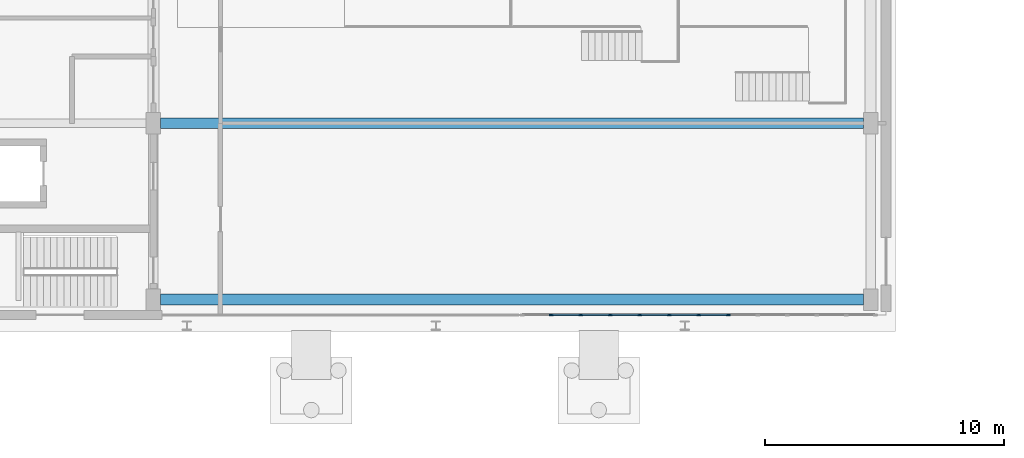
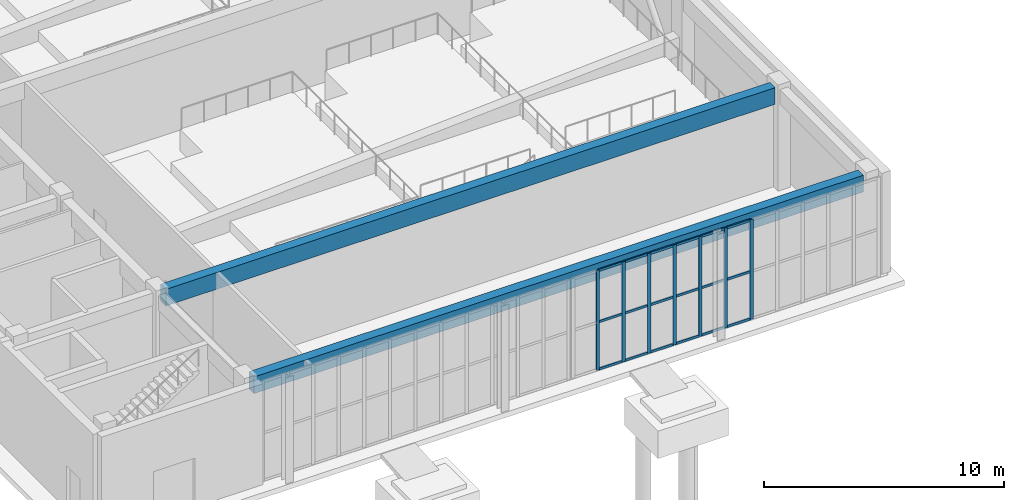
# One storey, part 6 of 46: 25 members, 2 beams, 1 element without a shape of its own.
"""IFC4 building model written with IfcOpenShell, lengths in metres."""

from ifc_helpers import new_model, si_unit, direction, frame, origin, origin_2d, place, context, subcontext, project, spatial, rectangle, extrude, material, layer, layer_set, material_profile, profile_set, type_object, element, aggregate, save


model = new_model("IFC4")

# Units and contexts
model_context = context("Model", 3, precision=1e-05, world=origin(), true_north=direction((0.0, 1.0)))
body_context = subcontext(model_context, "Body", "Model", "MODEL_VIEW")
ifc_project = project(units=[si_unit("LENGTHUNIT", "METRE"), si_unit("AREAUNIT", "SQUARE_METRE"), si_unit("VOLUMEUNIT", "CUBIC_METRE"), si_unit("PLANEANGLEUNIT", "RADIAN"), si_unit("MASSUNIT", "GRAM", prefix="KILO")], contexts=[model_context])

# Site, building, storey
site_placement = place(None, origin())
site = spatial("IfcSite", under=ifc_project, at=site_placement, CompositionType="ELEMENT")
building_placement = place(site_placement, origin())
building = spatial("IfcBuilding", under=site, at=building_placement, Name="Cinchona Park Media Centre", CompositionType="ELEMENT")
storey_placement = place(building_placement, origin())
storey = spatial("IfcBuildingStorey", under=building, at=storey_placement, Name="L00", CompositionType="ELEMENT", Elevation=0.0)

# Beams
ifc_material_1 = material(Name="Concrete C35/45", Category="concrete")
ifc_material_profile_1 = material_profile(ifc_material_1, rectangle(XDim=0.449951171875, YDim=0.85009765625, at=origin_2d()), Name="RB 450X850")
ifc_profile_set_1 = profile_set([ifc_material_profile_1], Name="Concrete C35/45")
beam_type = type_object("IfcBeamType", Name="BEAM-B02-RB450X850", PredefinedType="BEAM", material=ifc_profile_set_1)
for number, where, z_axis, x_axis, name in (
    (1, (15.699951171875, 8.239990234375, 4.715087890625), (1.0, 0.0, 0.0), (0.0, 1.0, 0.0), "Beam B02 L00"),
    (2, (15.699951171875, 15.60009765625, 4.715087890625), (1.0, 0.0, 0.0), (0.0, 1.0, 0.0), "Beam B02 L00"),
):
    element("IfcBeam", number, at=place(storey_placement, frame(where, z_axis=z_axis, x_axis=x_axis)), inside=storey, type_object=beam_type, Name=name, PredefinedType="BEAM", context=body_context, shape_type="SweptSolid", body=[
        extrude(rectangle(XDim=0.449951171875, YDim=0.85009765625, at=origin_2d()), origin(), (0.0, 0.0, 1.0), 29.360107421875),
    ])

# Curtain wall, members
ifc_material_2 = material(Name="Aluminium Curtain Wall Framing", Category="aluminium")
ifc_layer = layer(ifc_material_2, 0.179931640625)
ifc_layer_set = layer_set([ifc_layer], Name="Aluminium Curtain Wall Framing")
curtain_wall_type = type_object("IfcCurtainWallType", Name="CW-CW01", PredefinedType="USERDEFINED", material=ifc_layer_set)
curtain_wall_placement = place(storey_placement, origin())
curtain_wall = element("IfcCurtainWall", 3, at=curtain_wall_placement, inside=storey, type_object=curtain_wall_type, Name="Curtain Wall CW01 L00", ObjectType="UNITISED CURTAIN WALL", PredefinedType="USERDEFINED")
ifc_material_3 = material(Name="Anodised Aluminium Alloy 6063-T6", Category="aluminium")
ifc_material_profile_2 = material_profile(ifc_material_3, rectangle(XDim=0.06494140625, YDim=0.159912109375, at=origin_2d()), Name="MUL-65X160")
ifc_profile_set_2 = profile_set([ifc_material_profile_2], Name="Anodised Aluminium Alloy 6063-T6")
member_type_1 = type_object("IfcMemberType", Name="MULLION-MUL01", PredefinedType="MULLION", material=ifc_profile_set_2)
member_1_placement = place(storey_placement, frame((39.413330078125, 7.60009765625, 0.050048828125), z_axis=(0.0, 0.0, 1.0), x_axis=(0.0, -1.0, 0.0)))
member_1 = element("IfcMember", 4, at=member_1_placement, type_object=member_type_1, Name="CW01 mullion 6", PredefinedType="MULLION", context=body_context, shape_type="SweptSolid", body=[
    extrude(rectangle(XDim=0.06494140625, YDim=0.159912109375, at=origin_2d()), origin(), (0.0, 0.0, 1.0), 5.08984375),
])
member_2_placement = place(storey_placement, frame((38.179931640625, 7.60009765625, 0.050048828125), z_axis=(0.0, 0.0, 1.0), x_axis=(0.0, -1.0, 0.0)))
member_2 = element("IfcMember", 5, at=member_2_placement, type_object=member_type_1, Name="CW01 mullion 7", PredefinedType="MULLION", context=body_context, shape_type="SweptSolid", body=[
    extrude(rectangle(XDim=0.06494140625, YDim=0.159912109375, at=origin_2d()), origin(), (0.0, 0.0, 1.0), 5.08984375),
])
member_3_placement = place(storey_placement, frame((36.94677734375, 7.60009765625, 0.050048828125), z_axis=(0.0, 0.0, 1.0), x_axis=(0.0, -1.0, 0.0)))
member_3 = element("IfcMember", 6, at=member_3_placement, type_object=member_type_1, Name="CW01 mullion 8", PredefinedType="MULLION", context=body_context, shape_type="SweptSolid", body=[
    extrude(rectangle(XDim=0.06494140625, YDim=0.159912109375, at=origin_2d()), origin(), (0.0, 0.0, 1.0), 5.08984375),
])
member_4_placement = place(storey_placement, frame((35.71337890625, 7.60009765625, 0.050048828125), z_axis=(0.0, 0.0, 1.0), x_axis=(0.0, -1.0, 0.0)))
member_4 = element("IfcMember", 7, at=member_4_placement, type_object=member_type_1, Name="CW01 mullion 9", PredefinedType="MULLION", context=body_context, shape_type="SweptSolid", body=[
    extrude(rectangle(XDim=0.06494140625, YDim=0.159912109375, at=origin_2d()), origin(), (0.0, 0.0, 1.0), 5.08984375),
])
member_5_placement = place(storey_placement, frame((34.47998046875, 7.60009765625, 0.050048828125), z_axis=(0.0, 0.0, 1.0), x_axis=(0.0, -1.0, 0.0)))
member_5 = element("IfcMember", 8, at=member_5_placement, type_object=member_type_1, Name="CW01 mullion 10", PredefinedType="MULLION", context=body_context, shape_type="SweptSolid", body=[
    extrude(rectangle(XDim=0.06494140625, YDim=0.159912109375, at=origin_2d()), origin(), (0.0, 0.0, 1.0), 5.08984375),
])
member_6_placement = place(storey_placement, frame((33.24658203125, 7.60009765625, 0.050048828125), z_axis=(0.0, 0.0, 1.0), x_axis=(0.0, -1.0, 0.0)))
member_6 = element("IfcMember", 9, at=member_6_placement, type_object=member_type_1, Name="CW01 mullion 11", PredefinedType="MULLION", context=body_context, shape_type="SweptSolid", body=[
    extrude(rectangle(XDim=0.06494140625, YDim=0.159912109375, at=origin_2d()), origin(), (0.0, 0.0, 1.0), 5.08984375),
])
member_7_placement = place(storey_placement, frame((32.013427734375, 7.60009765625, 0.050048828125), z_axis=(0.0, 0.0, 1.0), x_axis=(0.0, -1.0, 0.0)))
member_7 = element("IfcMember", 10, at=member_7_placement, type_object=member_type_1, Name="CW01 mullion 12", PredefinedType="MULLION", context=body_context, shape_type="SweptSolid", body=[
    extrude(rectangle(XDim=0.06494140625, YDim=0.159912109375, at=origin_2d()), origin(), (0.0, 0.0, 1.0), 5.08984375),
])
ifc_material_4 = material(Name="Anodised Aluminium Alloy 6063-T6", Category="aluminium")
ifc_material_profile_3 = material_profile(ifc_material_4, rectangle(XDim=0.06494140625, YDim=0.1201171875, at=origin_2d()), Name="TRN-65X120")
ifc_profile_set_3 = profile_set([ifc_material_profile_3], Name="Anodised Aluminium Alloy 6063-T6")
member_type_2 = type_object("IfcMemberType", Name="TRANSOM-TRN01", PredefinedType="USERDEFINED", material=ifc_profile_set_3)
member_8_placement = place(storey_placement, frame((39.380859375, 7.60009765625, 0.08251953125), z_axis=(-1.0, 0.0, 0.0), x_axis=(0.0, -1.0, 0.0)))
member_8 = element("IfcMember", 11, at=member_8_placement, type_object=member_type_2, Name="CW01 transom 6.1", ObjectType="TRANSOM", PredefinedType="USERDEFINED", context=body_context, shape_type="SweptSolid", body=[
    extrude(rectangle(XDim=0.06494140625, YDim=0.1201171875, at=origin_2d()), origin(), (0.0, 0.0, 1.0), 1.16845703125),
])
member_9_placement = place(storey_placement, frame((39.380859375, 7.60009765625, 2.492919921875), z_axis=(-1.0, 0.0, 0.0), x_axis=(0.0, -1.0, 0.0)))
member_9 = element("IfcMember", 12, at=member_9_placement, type_object=member_type_2, Name="CW01 transom 6.2", ObjectType="TRANSOM", PredefinedType="USERDEFINED", context=body_context, shape_type="SweptSolid", body=[
    extrude(rectangle(XDim=0.06494140625, YDim=0.1201171875, at=origin_2d()), origin(), (0.0, 0.0, 1.0), 1.16845703125),
])
member_10_placement = place(storey_placement, frame((39.380859375, 7.60009765625, 5.107421875), z_axis=(-1.0, 0.0, 0.0), x_axis=(0.0, -1.0, 0.0)))
member_10 = element("IfcMember", 13, at=member_10_placement, type_object=member_type_2, Name="CW01 transom 6.3", ObjectType="TRANSOM", PredefinedType="USERDEFINED", context=body_context, shape_type="SweptSolid", body=[
    extrude(rectangle(XDim=0.06494140625, YDim=0.1201171875, at=origin_2d()), origin(), (0.0, 0.0, 1.0), 1.16845703125),
])
member_11_placement = place(storey_placement, frame((38.1474609375, 7.60009765625, 0.08251953125), z_axis=(-1.0, 0.0, 0.0), x_axis=(0.0, -1.0, 0.0)))
member_11 = element("IfcMember", 14, at=member_11_placement, type_object=member_type_2, Name="CW01 transom 7.1", ObjectType="TRANSOM", PredefinedType="USERDEFINED", context=body_context, shape_type="SweptSolid", body=[
    extrude(rectangle(XDim=0.06494140625, YDim=0.1201171875, at=origin_2d()), origin(), (0.0, 0.0, 1.0), 1.168212890625),
])
member_12_placement = place(storey_placement, frame((38.1474609375, 7.60009765625, 2.492919921875), z_axis=(-1.0, 0.0, 0.0), x_axis=(0.0, -1.0, 0.0)))
member_12 = element("IfcMember", 15, at=member_12_placement, type_object=member_type_2, Name="CW01 transom 7.2", ObjectType="TRANSOM", PredefinedType="USERDEFINED", context=body_context, shape_type="SweptSolid", body=[
    extrude(rectangle(XDim=0.06494140625, YDim=0.1201171875, at=origin_2d()), origin(), (0.0, 0.0, 1.0), 1.168212890625),
])
member_13_placement = place(storey_placement, frame((38.1474609375, 7.60009765625, 5.107421875), z_axis=(-1.0, 0.0, 0.0), x_axis=(0.0, -1.0, 0.0)))
member_13 = element("IfcMember", 16, at=member_13_placement, type_object=member_type_2, Name="CW01 transom 7.3", ObjectType="TRANSOM", PredefinedType="USERDEFINED", context=body_context, shape_type="SweptSolid", body=[
    extrude(rectangle(XDim=0.06494140625, YDim=0.1201171875, at=origin_2d()), origin(), (0.0, 0.0, 1.0), 1.168212890625),
])
member_14_placement = place(storey_placement, frame((36.9140625, 7.60009765625, 0.08251953125), z_axis=(-1.0, 0.0, 0.0), x_axis=(0.0, -1.0, 0.0)))
member_14 = element("IfcMember", 17, at=member_14_placement, type_object=member_type_2, Name="CW01 transom 8.1", ObjectType="TRANSOM", PredefinedType="USERDEFINED", context=body_context, shape_type="SweptSolid", body=[
    extrude(rectangle(XDim=0.06494140625, YDim=0.1201171875, at=origin_2d()), origin(), (0.0, 0.0, 1.0), 1.168212890625),
])
member_15_placement = place(storey_placement, frame((36.9140625, 7.60009765625, 2.492919921875), z_axis=(-1.0, 0.0, 0.0), x_axis=(0.0, -1.0, 0.0)))
member_15 = element("IfcMember", 18, at=member_15_placement, type_object=member_type_2, Name="CW01 transom 8.2", ObjectType="TRANSOM", PredefinedType="USERDEFINED", context=body_context, shape_type="SweptSolid", body=[
    extrude(rectangle(XDim=0.06494140625, YDim=0.1201171875, at=origin_2d()), origin(), (0.0, 0.0, 1.0), 1.168212890625),
])
member_16_placement = place(storey_placement, frame((36.9140625, 7.60009765625, 5.107421875), z_axis=(-1.0, 0.0, 0.0), x_axis=(0.0, -1.0, 0.0)))
member_16 = element("IfcMember", 19, at=member_16_placement, type_object=member_type_2, Name="CW01 transom 8.3", ObjectType="TRANSOM", PredefinedType="USERDEFINED", context=body_context, shape_type="SweptSolid", body=[
    extrude(rectangle(XDim=0.06494140625, YDim=0.1201171875, at=origin_2d()), origin(), (0.0, 0.0, 1.0), 1.168212890625),
])
member_17_placement = place(storey_placement, frame((35.680908203125, 7.60009765625, 0.08251953125), z_axis=(-1.0, 0.0, 0.0), x_axis=(0.0, -1.0, 0.0)))
member_17 = element("IfcMember", 20, at=member_17_placement, type_object=member_type_2, Name="CW01 transom 9.1", ObjectType="TRANSOM", PredefinedType="USERDEFINED", context=body_context, shape_type="SweptSolid", body=[
    extrude(rectangle(XDim=0.06494140625, YDim=0.1201171875, at=origin_2d()), origin(), (0.0, 0.0, 1.0), 1.16845703125),
])
member_18_placement = place(storey_placement, frame((35.680908203125, 7.60009765625, 2.492919921875), z_axis=(-1.0, 0.0, 0.0), x_axis=(0.0, -1.0, 0.0)))
member_18 = element("IfcMember", 21, at=member_18_placement, type_object=member_type_2, Name="CW01 transom 9.2", ObjectType="TRANSOM", PredefinedType="USERDEFINED", context=body_context, shape_type="SweptSolid", body=[
    extrude(rectangle(XDim=0.06494140625, YDim=0.1201171875, at=origin_2d()), origin(), (0.0, 0.0, 1.0), 1.16845703125),
])
member_19_placement = place(storey_placement, frame((35.680908203125, 7.60009765625, 5.107421875), z_axis=(-1.0, 0.0, 0.0), x_axis=(0.0, -1.0, 0.0)))
member_19 = element("IfcMember", 22, at=member_19_placement, type_object=member_type_2, Name="CW01 transom 9.3", ObjectType="TRANSOM", PredefinedType="USERDEFINED", context=body_context, shape_type="SweptSolid", body=[
    extrude(rectangle(XDim=0.06494140625, YDim=0.1201171875, at=origin_2d()), origin(), (0.0, 0.0, 1.0), 1.16845703125),
])
member_20_placement = place(storey_placement, frame((34.447509765625, 7.60009765625, 0.08251953125), z_axis=(-1.0, 0.0, 0.0), x_axis=(0.0, -1.0, 0.0)))
member_20 = element("IfcMember", 23, at=member_20_placement, type_object=member_type_2, Name="CW01 transom 10.1", ObjectType="TRANSOM", PredefinedType="USERDEFINED", context=body_context, shape_type="SweptSolid", body=[
    extrude(rectangle(XDim=0.06494140625, YDim=0.1201171875, at=origin_2d()), origin(), (0.0, 0.0, 1.0), 1.16845703125),
])
member_21_placement = place(storey_placement, frame((34.447509765625, 7.60009765625, 2.492919921875), z_axis=(-1.0, 0.0, 0.0), x_axis=(0.0, -1.0, 0.0)))
member_21 = element("IfcMember", 24, at=member_21_placement, type_object=member_type_2, Name="CW01 transom 10.2", ObjectType="TRANSOM", PredefinedType="USERDEFINED", context=body_context, shape_type="SweptSolid", body=[
    extrude(rectangle(XDim=0.06494140625, YDim=0.1201171875, at=origin_2d()), origin(), (0.0, 0.0, 1.0), 1.16845703125),
])
member_22_placement = place(storey_placement, frame((34.447509765625, 7.60009765625, 5.107421875), z_axis=(-1.0, 0.0, 0.0), x_axis=(0.0, -1.0, 0.0)))
member_22 = element("IfcMember", 25, at=member_22_placement, type_object=member_type_2, Name="CW01 transom 10.3", ObjectType="TRANSOM", PredefinedType="USERDEFINED", context=body_context, shape_type="SweptSolid", body=[
    extrude(rectangle(XDim=0.06494140625, YDim=0.1201171875, at=origin_2d()), origin(), (0.0, 0.0, 1.0), 1.16845703125),
])
member_23_placement = place(storey_placement, frame((33.214111328125, 7.60009765625, 0.08251953125), z_axis=(-1.0, 0.0, 0.0), x_axis=(0.0, -1.0, 0.0)))
member_23 = element("IfcMember", 26, at=member_23_placement, type_object=member_type_2, Name="CW01 transom 11.1", ObjectType="TRANSOM", PredefinedType="USERDEFINED", context=body_context, shape_type="SweptSolid", body=[
    extrude(rectangle(XDim=0.06494140625, YDim=0.1201171875, at=origin_2d()), origin(), (0.0, 0.0, 1.0), 1.168212890625),
])
member_24_placement = place(storey_placement, frame((33.214111328125, 7.60009765625, 2.492919921875), z_axis=(-1.0, 0.0, 0.0), x_axis=(0.0, -1.0, 0.0)))
member_24 = element("IfcMember", 27, at=member_24_placement, type_object=member_type_2, Name="CW01 transom 11.2", ObjectType="TRANSOM", PredefinedType="USERDEFINED", context=body_context, shape_type="SweptSolid", body=[
    extrude(rectangle(XDim=0.06494140625, YDim=0.1201171875, at=origin_2d()), origin(), (0.0, 0.0, 1.0), 1.168212890625),
])
member_25_placement = place(storey_placement, frame((33.214111328125, 7.60009765625, 5.107421875), z_axis=(-1.0, 0.0, 0.0), x_axis=(0.0, -1.0, 0.0)))
member_25 = element("IfcMember", 28, at=member_25_placement, type_object=member_type_2, Name="CW01 transom 11.3", ObjectType="TRANSOM", PredefinedType="USERDEFINED", context=body_context, shape_type="SweptSolid", body=[
    extrude(rectangle(XDim=0.06494140625, YDim=0.1201171875, at=origin_2d()), origin(), (0.0, 0.0, 1.0), 1.168212890625),
])
aggregate(curtain_wall, [member_1, member_2, member_3, member_4, member_5, member_6, member_7, member_8, member_9, member_10, member_11, member_12, member_13, member_14, member_15, member_16, member_17, member_18, member_19, member_20, member_21, member_22, member_23, member_24, member_25])

save(model, "model.ifc")
